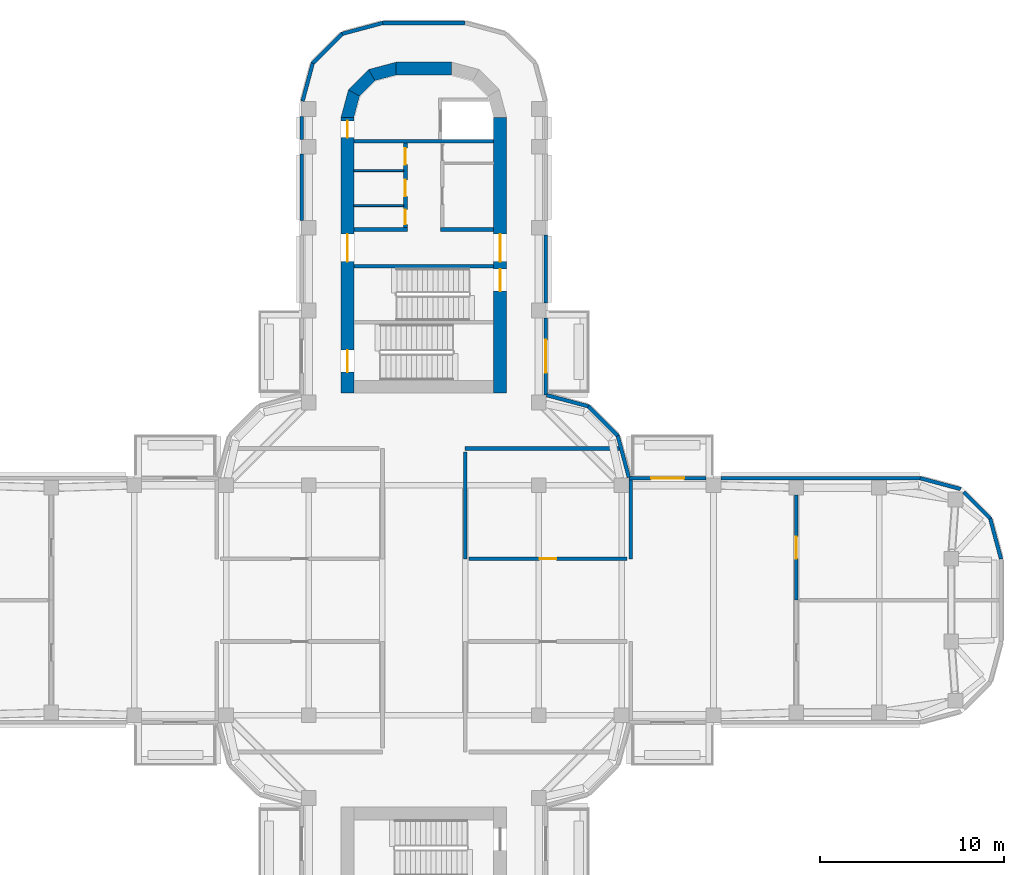
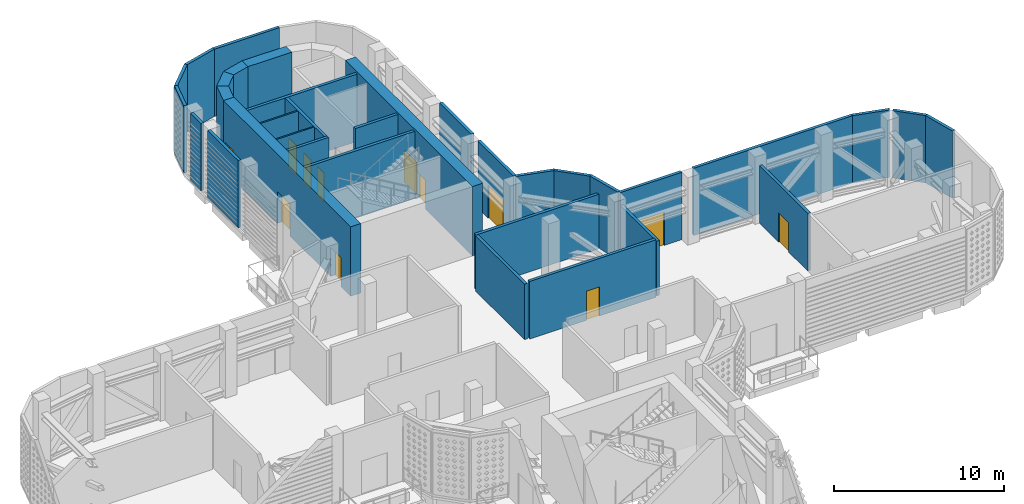
# One storey, part 7 of 21: 34 walls, 12 doors, 12 openings.
"""IFC4 building model written with IfcOpenShell, lengths in metres."""

from ifc_helpers import new_model, si_unit, direction, frame, frame_2d, origin, place, context, subcontext, project, spatial, polyline, rectangle, outline, extrude, material, layer, layer_set, type_object, element, fill, save


model = new_model("IFC4")

# Units and contexts
model_context = context("Model", 3, precision=1e-05, world=origin(), true_north=direction((0.0, 1.0)))
body_context = subcontext(model_context, "Body", "Model", "MODEL_VIEW")
ifc_project = project(units=[si_unit("LENGTHUNIT", "METRE"), si_unit("AREAUNIT", "SQUARE_METRE"), si_unit("VOLUMEUNIT", "CUBIC_METRE"), si_unit("PLANEANGLEUNIT", "RADIAN"), si_unit("MASSUNIT", "GRAM", prefix="KILO")], contexts=[model_context])

# Site, building, storey
site_placement = place(None, origin())
site = spatial("IfcSite", under=ifc_project, at=site_placement, CompositionType="ELEMENT")
building_placement = place(site_placement, origin())
building = spatial("IfcBuilding", under=site, at=building_placement, Name="Zarbagh Exchange Tower", CompositionType="ELEMENT")
storey_placement = place(building_placement, frame((0.0, 0.0, 190.39990234375)))
storey = spatial("IfcBuildingStorey", under=building, at=storey_placement, Name="L46", CompositionType="ELEMENT", Elevation=190.39990234375)

# Walls
ifc_material_1 = material(Name="Dense blockwork", Category="masonry")
ifc_layer_1 = layer(ifc_material_1, 0.10009765625)
ifc_layer_set_1 = layer_set([ifc_layer_1], Name="Core partition 100 mm blockwork")
wall_type_1 = type_object("IfcWallType", Name="Core partition 100 mm blockwork", PredefinedType="PARTITIONING", material=ifc_layer_set_1)
for number, where, z_axis, x_axis, name in (
    (1, (-3.800048828125, 23.35009765625, 0.0), (0.0, 0.0, 1.0), (1.0, 0.0, 0.0), "North core partition wall CUT-W-500"),
    (2, (-3.800048828125, 21.449951171875, 0.0), (0.0, 0.0, 1.0), (1.0, 0.0, 0.0), "North core partition wall CUT-W-690"),
):
    element("IfcWall", number, at=place(storey_placement, frame(where, z_axis=z_axis, x_axis=x_axis)), inside=storey, type_object=wall_type_1, Name=name, PredefinedType="PARTITIONING", context=body_context, shape_type="SweptSolid", body=[
        extrude(rectangle(XDim=2.699951171875, YDim=0.10009765625, at=frame_2d((1.35009765625, 0.0))), origin(), (0.0, 0.0, 1.0), 4.85009765625),
    ])

# Wall, opening, door
ifc_material_2 = material(Name="Concrete block partition", Category="concrete")
ifc_layer_2 = layer(ifc_material_2, 0.199951171875)
ifc_layer_set_2 = layer_set([ifc_layer_2], Name="Fire-rated block partition 200 EI 120")
wall_type_2 = type_object("IfcWallType", Name="Fire-rated block partition 200 EI 120", PredefinedType="PARTITIONING", material=ifc_layer_set_2)
wall_1_placement = place(storey_placement, frame((20.25, 0.0, 0.0), z_axis=(0.0, 0.0, 1.0), x_axis=(0.0, 1.0, 0.0)))
wall_1 = element("IfcWall", 3, at=wall_1_placement, inside=storey, type_object=wall_type_2, Name="WL-L46-W017", PredefinedType="PARTITIONING", context=body_context, shape_type="SweptSolid", body=[
    extrude(rectangle(XDim=5.7099609375, YDim=0.199951171875, at=frame_2d((2.85498046875, 0.0))), origin(), (0.0, 0.0, 1.0), 4.15185546875),
])
opening_1_placement = place(wall_1_placement, frame((2.2548828125, 0.0, 0.0)))
opening_1 = element("IfcOpeningElement", 4, at=opening_1_placement, cuts=wall_1, Name="Opening D05", PredefinedType="OPENING", context=body_context, shape_type="SweptSolid", body=[
    extrude(rectangle(XDim=1.199951171875, YDim=2.10009765625, at=frame_2d((0.60009765625, 1.050048828125))), frame((0.0, 0.10986328125, 0.0), z_axis=(0.0, -1.0, 0.0), x_axis=(1.0, 0.0, 0.0)), (0.0, 0.0, 1.0), 0.219970703125),
])
ifc_material_3 = material(Name="Steel door set", Category="steel")
door_type_1 = type_object("IfcDoorType", Name="Door single 1200x2100 EI 120", OperationType="SINGLE_SWING_LEFT", PredefinedType="DOOR", material=ifc_material_3)
door_1_placement = place(opening_1_placement, origin())
door_1 = element("IfcDoor", 5, at=door_1_placement, inside=storey, type_object=door_type_1, Name="D05", OperationType="SINGLE_SWING_LEFT", OverallHeight=2.10009765625, OverallWidth=1.199951171875, PredefinedType="DOOR", context=body_context, shape_type="SweptSolid", body=[
    extrude(rectangle(XDim=1.199951171875, YDim=2.10009765625, at=frame_2d((0.60009765625, 1.050048828125))), frame((0.0, 0.02490234375, 0.0), z_axis=(0.0, -1.0, 0.0), x_axis=(1.0, 0.0, 0.0)), (0.0, 0.0, 1.0), 0.050048828125),
])
fill(opening_1, door_1)

# Walls
ifc_layer_3 = layer(ifc_material_2, 0.199951171875)
ifc_layer_set_3 = layer_set([ifc_layer_3], Name="Fire-rated block partition 200 EI 60")
wall_type_3 = type_object("IfcWallType", Name="Fire-rated block partition 200 EI 60", PredefinedType="PARTITIONING", material=ifc_layer_set_3)
wall_2_placement = place(storey_placement, frame((10.84814453125, 8.25, 0.0), z_axis=(0.0, 0.0, 1.0), x_axis=(-1.0, 0.0, 0.0)))
element("IfcWall", 6, at=wall_2_placement, inside=storey, type_object=wall_type_3, Name="WL-L46-W001", PredefinedType="PARTITIONING", context=body_context, shape_type="SweptSolid", body=[
    extrude(rectangle(XDim=8.59814453125, YDim=0.199951171875, at=frame_2d((4.299072265625, 0.0))), origin(), (0.0, 0.0, 1.0), 3.93017578125),
])
wall_3_placement = place(storey_placement, frame((2.25, 8.050048828125, 0.0), z_axis=(0.0, 0.0, 1.0), x_axis=(0.0, -1.0, 0.0)))
element("IfcWall", 7, at=wall_3_placement, inside=storey, type_object=wall_type_3, Name="WL-L46-W002", PredefinedType="PARTITIONING", context=body_context, shape_type="SweptSolid", body=[
    extrude(rectangle(XDim=5.800048828125, YDim=0.199951171875, at=frame_2d((2.89990234375, 0.0))), origin(), (0.0, 0.0, 1.0), 3.994384765625),
])
wall_4_placement = place(storey_placement, frame((11.25, 6.75, 0.0), z_axis=(0.0, 0.0, 1.0), x_axis=(0.0, -1.0, 0.0)))
element("IfcWall", 8, at=wall_4_placement, inside=storey, type_object=wall_type_3, Name="WL-L46-W009", PredefinedType="PARTITIONING", context=body_context, shape_type="SweptSolid", body=[
    extrude(rectangle(XDim=4.5, YDim=0.199951171875, at=frame_2d((2.25, 0.0))), origin(), (0.0, 0.0, 1.0), 3.93017578125),
])

# Wall, opening, door
wall_5_placement = place(storey_placement, frame((2.449951171875, 2.25, 0.0), z_axis=(0.0, 0.0, 1.0), x_axis=(1.0, 0.0, 0.0)))
wall_5 = element("IfcWall", 9, at=wall_5_placement, inside=storey, type_object=wall_type_3, Name="WL-L46-W010", PredefinedType="PARTITIONING", context=body_context, shape_type="SweptSolid", body=[
    extrude(rectangle(XDim=8.60009765625, YDim=0.199951171875, at=frame_2d((4.300048828125, 0.0))), origin(), (0.0, 0.0, 1.0), 4.15185546875),
])
opening_2_placement = place(wall_5_placement, frame((3.85009765625, 0.0, 0.0)))
opening_2 = element("IfcOpeningElement", 10, at=opening_2_placement, cuts=wall_5, Name="Opening D01", PredefinedType="OPENING", context=body_context, shape_type="SweptSolid", body=[
    extrude(rectangle(XDim=0.89990234375, YDim=2.10009765625, at=frame_2d((0.449951171875, 1.050048828125))), frame((0.0, 0.10986328125, 0.0), z_axis=(0.0, -1.0, 0.0), x_axis=(1.0, 0.0, 0.0)), (0.0, 0.0, 1.0), 0.219970703125),
])
door_type_2 = type_object("IfcDoorType", Name="Door single 900x2100 EI 60", OperationType="SINGLE_SWING_LEFT", PredefinedType="DOOR", material=ifc_material_3)
door_2_placement = place(opening_2_placement, origin())
door_2 = element("IfcDoor", 11, at=door_2_placement, inside=storey, type_object=door_type_2, Name="D01", OperationType="SINGLE_SWING_LEFT", OverallHeight=2.10009765625, OverallWidth=0.89990234375, PredefinedType="DOOR", context=body_context, shape_type="SweptSolid", body=[
    extrude(rectangle(XDim=0.89990234375, YDim=2.10009765625, at=frame_2d((0.449951171875, 1.050048828125))), frame((0.0, 0.02490234375, 0.0), z_axis=(0.0, -1.0, 0.0), x_axis=(1.0, 0.0, 0.0)), (0.0, 0.0, 1.0), 0.050048828125),
])
fill(opening_2, door_2)

# Walls
ifc_material_4 = material(Name="Precast concrete C50/60", Category="concrete")
ifc_layer_4 = layer(ifc_material_4, 0.199951171875)
ifc_layer_set_4 = layer_set([ifc_layer_4], Name="Plant wall, precast concrete C50/60")
wall_type_4 = type_object("IfcWallType", Name="Plant wall, precast concrete C50/60", PredefinedType="SOLIDWALL", material=ifc_layer_set_4)
wall_6_placement = place(storey_placement, origin())
element("IfcWall", 12, at=wall_6_placement, inside=storey, type_object=wall_type_4, Name="PW54 plant wall", PredefinedType="SOLIDWALL", context=body_context, shape_type="SweptSolid", body=[
    extrude(outline(polyline([(31.47998046875, 2.247314453125), (30.879150390625, 4.48974609375), (30.699951171875, 4.38623046875), (31.280029296875, 2.220947265625), (31.47998046875, 2.247314453125)])), origin(), (0.0, 0.0, 1.0), 4.85009765625),
])
wall_7_placement = place(storey_placement, origin())
element("IfcWall", 13, at=wall_7_placement, inside=storey, type_object=wall_type_4, Name="PW55 plant wall", PredefinedType="SOLIDWALL", context=body_context, shape_type="SweptSolid", body=[
    extrude(outline(polyline([(30.879150390625, 4.48974609375), (29.418701171875, 5.9501953125), (29.27734375, 5.80859375), (30.699951171875, 4.38623046875), (30.879150390625, 4.48974609375)])), origin(), (0.0, 0.0, 1.0), 4.85009765625),
])
wall_8_placement = place(storey_placement, origin())
element("IfcWall", 14, at=wall_8_placement, inside=storey, type_object=wall_type_4, Name="PW56 plant wall", PredefinedType="SOLIDWALL", context=body_context, shape_type="SweptSolid", body=[
    extrude(outline(polyline([(29.23974609375, 6.129150390625), (26.997314453125, 6.72998046875), (26.970947265625, 6.530029296875), (29.13623046875, 5.949951171875), (29.23974609375, 6.129150390625)])), origin(), (0.0, 0.0, 1.0), 4.85009765625),
])
wall_9_placement = place(storey_placement, origin())
element("IfcWall", 15, at=wall_9_placement, inside=storey, type_object=wall_type_4, Name="PW57 plant wall", PredefinedType="SOLIDWALL", context=body_context, shape_type="SweptSolid", body=[
    extrude(outline(polyline([(26.997314453125, 6.72998046875), (16.14990234375, 6.72998046875), (16.14990234375, 6.530029296875), (26.970947265625, 6.530029296875), (26.997314453125, 6.72998046875)])), origin(), (0.0, 0.0, 1.0), 4.85009765625),
])
wall_10_placement = place(storey_placement, origin())
element("IfcWall", 16, at=wall_10_placement, inside=storey, type_object=wall_type_4, Name="PW17 plant wall", PredefinedType="SOLIDWALL", context=body_context, shape_type="SweptSolid", body=[
    extrude(outline(polyline([(11.241943359375, 6.702392578125), (10.629150390625, 8.98974609375), (10.449951171875, 8.88623046875), (11.048828125, 6.650634765625), (11.241943359375, 6.702392578125)])), origin(), (0.0, 0.0, 1.0), 4.85009765625),
])
wall_11_placement = place(storey_placement, origin())
element("IfcWall", 17, at=wall_11_placement, inside=storey, type_object=wall_type_4, Name="PW18 plant wall", PredefinedType="SOLIDWALL", context=body_context, shape_type="SweptSolid", body=[
    extrude(outline(polyline([(10.629150390625, 8.98974609375), (8.98974609375, 10.629150390625), (8.88623046875, 10.449951171875), (10.449951171875, 8.88623046875), (10.629150390625, 8.98974609375)])), origin(), (0.0, 0.0, 1.0), 4.85009765625),
])
wall_12_placement = place(storey_placement, origin())
element("IfcWall", 18, at=wall_12_placement, inside=storey, type_object=wall_type_4, Name="PW19 plant wall", PredefinedType="SOLIDWALL", context=body_context, shape_type="SweptSolid", body=[
    extrude(outline(polyline([(8.98974609375, 10.629150390625), (6.702392578125, 11.241943359375), (6.650634765625, 11.048828125), (8.88623046875, 10.449951171875), (8.98974609375, 10.629150390625)])), origin(), (0.0, 0.0, 1.0), 4.85009765625),
])
wall_13_placement = place(storey_placement, origin())
element("IfcWall", 19, at=wall_13_placement, inside=storey, type_object=wall_type_4, Name="PW58 plant wall", PredefinedType="SOLIDWALL", context=body_context, shape_type="SweptSolid", body=[
    extrude(outline(polyline([(6.72998046875, 16.14990234375), (6.72998046875, 19.85009765625), (6.530029296875, 19.85009765625), (6.530029296875, 16.14990234375), (6.72998046875, 16.14990234375)])), origin(), (0.0, 0.0, 1.0), 4.85009765625),
])
wall_14_placement = place(storey_placement, origin())
element("IfcWall", 20, at=wall_14_placement, inside=storey, type_object=wall_type_4, Name="PW62 plant wall", PredefinedType="SOLIDWALL", context=body_context, shape_type="SweptSolid", body=[
    extrude(outline(polyline([(2.247314453125, 31.47998046875), (-2.247314453125, 31.47998046875), (-2.220947265625, 31.280029296875), (2.220947265625, 31.280029296875), (2.247314453125, 31.47998046875)])), origin(), (0.0, 0.0, 1.0), 4.85009765625),
])
wall_15_placement = place(storey_placement, origin())
element("IfcWall", 21, at=wall_15_placement, inside=storey, type_object=wall_type_4, Name="PW63 plant wall", PredefinedType="SOLIDWALL", context=body_context, shape_type="SweptSolid", body=[
    extrude(outline(polyline([(-2.247314453125, 31.47998046875), (-4.48974609375, 30.879150390625), (-4.38623046875, 30.699951171875), (-2.220947265625, 31.280029296875), (-2.247314453125, 31.47998046875)])), origin(), (0.0, 0.0, 1.0), 4.85009765625),
])
wall_16_placement = place(storey_placement, origin())
element("IfcWall", 22, at=wall_16_placement, inside=storey, type_object=wall_type_4, Name="PW64 plant wall", PredefinedType="SOLIDWALL", context=body_context, shape_type="SweptSolid", body=[
    extrude(outline(polyline([(-4.48974609375, 30.879150390625), (-6.129150390625, 29.23974609375), (-5.949951171875, 29.13623046875), (-4.38623046875, 30.699951171875), (-4.48974609375, 30.879150390625)])), origin(), (0.0, 0.0, 1.0), 4.85009765625),
])
wall_17_placement = place(storey_placement, origin())
element("IfcWall", 23, at=wall_17_placement, inside=storey, type_object=wall_type_4, Name="PW65 plant wall", PredefinedType="SOLIDWALL", context=body_context, shape_type="SweptSolid", body=[
    extrude(outline(polyline([(-6.129150390625, 29.23974609375), (-6.6884765625, 27.15234375), (-6.495361328125, 27.1005859375), (-5.949951171875, 29.13623046875), (-6.129150390625, 29.23974609375)])), origin(), (0.0, 0.0, 1.0), 4.85009765625),
])
wall_18_placement = place(storey_placement, origin())
element("IfcWall", 24, at=wall_18_placement, inside=storey, type_object=wall_type_4, Name="PW66 plant wall", PredefinedType="SOLIDWALL", context=body_context, shape_type="SweptSolid", body=[
    extrude(outline(polyline([(-6.72998046875, 26.300048828125), (-6.72998046875, 25.050048828125), (-6.530029296875, 25.050048828125), (-6.530029296875, 26.300048828125), (-6.72998046875, 26.300048828125)])), origin(), (0.0, 0.0, 1.0), 4.85009765625),
])
wall_19_placement = place(storey_placement, origin())
element("IfcWall", 25, at=wall_19_placement, inside=storey, type_object=wall_type_4, Name="PW66 plant wall", PredefinedType="SOLIDWALL", context=body_context, shape_type="SweptSolid", body=[
    extrude(outline(polyline([(-6.72998046875, 24.25), (-6.72998046875, 20.64990234375), (-6.530029296875, 20.64990234375), (-6.530029296875, 24.25), (-6.72998046875, 24.25)])), origin(), (0.0, 0.0, 1.0), 4.85009765625),
])
ifc_material_5 = material(Name="Concrete C50/60", Category="concrete")
ifc_layer_5 = layer(ifc_material_5, 0.699951171875)
ifc_layer_set_5 = layer_set([ifc_layer_5], Name="RC core corner wall 700 C50/60")
wall_type_5 = type_object("IfcWallType", Name="RC core corner wall 700 C50/60", PredefinedType="SHEAR", material=ifc_layer_set_5)
wall_20_placement = place(storey_placement, origin())
element("IfcWall", 26, at=wall_20_placement, inside=storey, type_object=wall_type_5, Name="CW6 core N corner W", PredefinedType="SHEAR", context=body_context, shape_type="SweptSolid", body=[
    extrude(outline(polyline([(-4.5, 26.25), (-4.09814453125, 27.75), (-3.491943359375, 27.39990234375), (-3.800048828125, 26.25), (-4.5, 26.25)])), origin(), (0.0, 0.0, 1.0), 5.0),
])
wall_21_placement = place(storey_placement, origin())
element("IfcWall", 27, at=wall_21_placement, inside=storey, type_object=wall_type_5, Name="CW6 core N corner W", PredefinedType="SHEAR", context=body_context, shape_type="SweptSolid", body=[
    extrude(outline(polyline([(-4.09814453125, 27.75), (-3.0, 28.84814453125), (-2.64990234375, 28.241943359375), (-3.491943359375, 27.39990234375), (-4.09814453125, 27.75)])), origin(), (0.0, 0.0, 1.0), 5.0),
])
wall_22_placement = place(storey_placement, origin())
element("IfcWall", 28, at=wall_22_placement, inside=storey, type_object=wall_type_5, Name="CW6 core N corner W", PredefinedType="SHEAR", context=body_context, shape_type="SweptSolid", body=[
    extrude(outline(polyline([(-3.0, 28.84814453125), (-1.5, 29.25), (-1.5, 28.550048828125), (-2.64990234375, 28.241943359375), (-3.0, 28.84814453125)])), origin(), (0.0, 0.0, 1.0), 5.0),
])

# Wall, openings, doors
ifc_layer_6 = layer(ifc_material_5, 0.699951171875)
ifc_layer_set_6 = layer_set([ifc_layer_6], Name="RC core wall 700 C50/60")
wall_type_6 = type_object("IfcWallType", Name="RC core wall 700 C50/60", PredefinedType="SHEAR", material=ifc_layer_set_6)
wall_23_placement = place(storey_placement, frame((-4.14990234375, 11.25, 0.0), z_axis=(0.0, 0.0, 1.0), x_axis=(0.0, 1.0, 0.0)))
wall_23 = element("IfcWall", 29, at=wall_23_placement, inside=storey, type_object=wall_type_6, Name="CW5 core N W", PredefinedType="SHEAR", context=body_context, shape_type="SweptSolid", body=[
    extrude(rectangle(XDim=15.0, YDim=0.699951171875, at=frame_2d((7.5, 0.0))), origin(), (0.0, 0.0, 1.0), 5.0),
])
opening_3_placement = place(wall_23_placement, frame((7.14990234375, 0.0, 0.0)))
opening_3 = element("IfcOpeningElement", 30, at=opening_3_placement, cuts=wall_23, Name="Opening CD1-1500", PredefinedType="OPENING", context=body_context, shape_type="SweptSolid", body=[
    extrude(rectangle(XDim=1.5, YDim=2.300048828125, at=frame_2d((0.75, 1.14990234375))), frame((0.0, 0.35986328125, 0.0), z_axis=(0.0, -1.0, 0.0), x_axis=(1.0, 0.0, 0.0)), (0.0, 0.0, 1.0), 0.719970703125),
])
opening_4_placement = place(wall_23_placement, frame((13.89990234375, 0.0, 0.0)))
opening_4 = element("IfcOpeningElement", 31, at=opening_4_placement, cuts=wall_23, Name="Opening CD2-900", PredefinedType="OPENING", context=body_context, shape_type="SweptSolid", body=[
    extrude(rectangle(XDim=0.89990234375, YDim=2.10009765625, at=frame_2d((0.449951171875, 1.050048828125))), frame((0.0, 0.35986328125, 0.0), z_axis=(0.0, -1.0, 0.0), x_axis=(1.0, 0.0, 0.0)), (0.0, 0.0, 1.0), 0.719970703125),
])
opening_5_placement = place(wall_23_placement, frame((1.14990234375, 0.0, 0.0)))
opening_5 = element("IfcOpeningElement", 32, at=opening_5_placement, cuts=wall_23, Name="Opening SD1-1200", PredefinedType="OPENING", context=body_context, shape_type="SweptSolid", body=[
    extrude(rectangle(XDim=1.199951171875, YDim=2.10009765625, at=frame_2d((0.60009765625, 1.050048828125))), frame((0.0, 0.35986328125, 0.0), z_axis=(0.0, -1.0, 0.0), x_axis=(1.0, 0.0, 0.0)), (0.0, 0.0, 1.0), 0.719970703125),
])
ifc_material_6 = material(Name="Steel", Category="steel")
door_type_3 = type_object("IfcDoorType", Name="Exit stair door 1200 x 2100", OperationType="NOTDEFINED", PredefinedType="DOOR", material=ifc_material_6)
door_3_placement = place(opening_5_placement, origin())
door_3 = element("IfcDoor", 33, at=door_3_placement, inside=storey, type_object=door_type_3, Name="North core stair door ST2", OperationType="SINGLE_SWING_RIGHT", OverallHeight=2.10009765625, OverallWidth=1.199951171875, PredefinedType="DOOR", context=body_context, shape_type="SweptSolid", body=[
    extrude(rectangle(XDim=1.199951171875, YDim=2.10009765625, at=frame_2d((0.60009765625, 1.050048828125))), frame((0.0, 0.02490234375, 0.0), z_axis=(0.0, -1.0, 0.0), x_axis=(1.0, 0.0, 0.0)), (0.0, 0.0, 1.0), 0.050048828125),
])
fill(opening_5, door_3)
door_type_4 = type_object("IfcDoorType", Name="Firefighting lobby door 900 x 2100", OperationType="NOTDEFINED", PredefinedType="DOOR", material=ifc_material_6)
door_4_placement = place(opening_4_placement, origin())
door_4 = element("IfcDoor", 34, at=door_4_placement, inside=storey, type_object=door_type_4, Name="North core firefighting lobby door FF-W", OperationType="SINGLE_SWING_LEFT", OverallHeight=2.10009765625, OverallWidth=0.89990234375, PredefinedType="DOOR", context=body_context, shape_type="SweptSolid", body=[
    extrude(rectangle(XDim=0.89990234375, YDim=2.10009765625, at=frame_2d((0.449951171875, 1.050048828125))), frame((0.0, 0.02490234375, 0.0), z_axis=(0.0, -1.0, 0.0), x_axis=(1.0, 0.0, 0.0)), (0.0, 0.0, 1.0), 0.050048828125),
])
fill(opening_4, door_4)
door_type_5 = type_object("IfcDoorType", Name="Lift lobby double door 1500 x 2300", OperationType="NOTDEFINED", PredefinedType="DOOR", material=ifc_material_6)
door_5_placement = place(opening_3_placement, origin())
door_5 = element("IfcDoor", 35, at=door_5_placement, inside=storey, type_object=door_type_5, Name="North core lift lobby door LOBBY-W", OperationType="DOUBLE_DOOR_SINGLE_SWING", OverallHeight=2.300048828125, OverallWidth=1.5, PredefinedType="DOOR", context=body_context, shape_type="SweptSolid", body=[
    extrude(rectangle(XDim=1.5, YDim=2.300048828125, at=frame_2d((0.75, 1.14990234375))), frame((0.0, 0.02490234375, 0.0), z_axis=(0.0, -1.0, 0.0), x_axis=(1.0, 0.0, 0.0)), (0.0, 0.0, 1.0), 0.050048828125),
])
fill(opening_3, door_5)

wall_24_placement = place(storey_placement, frame((4.14990234375, 11.25, 0.0), z_axis=(0.0, 0.0, 1.0), x_axis=(0.0, 1.0, 0.0)))
wall_24 = element("IfcWall", 36, at=wall_24_placement, inside=storey, type_object=wall_type_6, Name="CW5 core N E", PredefinedType="SHEAR", context=body_context, shape_type="SweptSolid", body=[
    extrude(rectangle(XDim=15.0, YDim=0.699951171875, at=frame_2d((7.5, 0.0))), origin(), (0.0, 0.0, 1.0), 5.0),
])
opening_6_placement = place(wall_24_placement, frame((7.14990234375, 0.0, 0.0)))
opening_6 = element("IfcOpeningElement", 37, at=opening_6_placement, cuts=wall_24, Name="Opening CD1-1500", PredefinedType="OPENING", context=body_context, shape_type="SweptSolid", body=[
    extrude(rectangle(XDim=1.5, YDim=2.300048828125, at=frame_2d((0.75, 1.14990234375))), frame((0.0, 0.35986328125, 0.0), z_axis=(0.0, -1.0, 0.0), x_axis=(1.0, 0.0, 0.0)), (0.0, 0.0, 1.0), 0.719970703125),
])
opening_7_placement = place(wall_24_placement, frame((5.550048828125, 0.0, 0.0)))
opening_7 = element("IfcOpeningElement", 38, at=opening_7_placement, cuts=wall_24, Name="Opening SD1-1200", PredefinedType="OPENING", context=body_context, shape_type="SweptSolid", body=[
    extrude(rectangle(XDim=1.199951171875, YDim=2.10009765625, at=frame_2d((0.60009765625, 1.050048828125))), frame((0.0, 0.35986328125, 0.0), z_axis=(0.0, -1.0, 0.0), x_axis=(1.0, 0.0, 0.0)), (0.0, 0.0, 1.0), 0.719970703125),
])
door_6_placement = place(opening_7_placement, origin())
door_6 = element("IfcDoor", 39, at=door_6_placement, inside=storey, type_object=door_type_3, Name="North core stair door ST1", OperationType="SINGLE_SWING_RIGHT", OverallHeight=2.10009765625, OverallWidth=1.199951171875, PredefinedType="DOOR", context=body_context, shape_type="SweptSolid", body=[
    extrude(rectangle(XDim=1.199951171875, YDim=2.10009765625, at=frame_2d((0.60009765625, 1.050048828125))), frame((0.0, 0.02490234375, 0.0), z_axis=(0.0, -1.0, 0.0), x_axis=(1.0, 0.0, 0.0)), (0.0, 0.0, 1.0), 0.050048828125),
])
fill(opening_7, door_6)
door_7_placement = place(opening_6_placement, origin())
door_7 = element("IfcDoor", 40, at=door_7_placement, inside=storey, type_object=door_type_5, Name="North core lift lobby door LOBBY-E", OperationType="DOUBLE_DOOR_SINGLE_SWING", OverallHeight=2.300048828125, OverallWidth=1.5, PredefinedType="DOOR", context=body_context, shape_type="SweptSolid", body=[
    extrude(rectangle(XDim=1.5, YDim=2.300048828125, at=frame_2d((0.75, 1.14990234375))), frame((0.0, 0.02490234375, 0.0), z_axis=(0.0, -1.0, 0.0), x_axis=(1.0, 0.0, 0.0)), (0.0, 0.0, 1.0), 0.050048828125),
])
fill(opening_6, door_7)

# Walls
wall_25_placement = place(storey_placement, frame((-1.5, 28.89990234375, 0.0), z_axis=(0.0, 0.0, 1.0), x_axis=(1.0, 0.0, 0.0)))
element("IfcWall", 41, at=wall_25_placement, inside=storey, type_object=wall_type_6, Name="CW5 core N outer end", PredefinedType="SHEAR", context=body_context, shape_type="SweptSolid", body=[
    extrude(rectangle(XDim=3.0, YDim=0.699951171875, at=frame_2d((1.5, 0.0))), origin(), (0.0, 0.0, 1.0), 5.0),
])
ifc_layer_7 = layer(ifc_material_1, 0.199951171875)
ifc_layer_set_7 = layer_set([ifc_layer_7], Name="Shaft wall 200 mm blockwork")
wall_type_7 = type_object("IfcWallType", Name="Shaft wall 200 mm blockwork", PredefinedType="PARTITIONING", material=ifc_layer_set_7)
wall_26_placement = place(storey_placement, frame((-3.800048828125, 20.14990234375, 0.0), z_axis=(0.0, 0.0, 1.0), x_axis=(1.0, 0.0, 0.0)))
element("IfcWall", 42, at=wall_26_placement, inside=storey, type_object=wall_type_7, Name="North core shaft wall AB-W", PredefinedType="PARTITIONING", context=body_context, shape_type="SweptSolid", body=[
    extrude(rectangle(XDim=2.900146484375, YDim=0.199951171875, at=frame_2d((1.4501953125, 0.0))), origin(), (0.0, 0.0, 1.0), 4.85009765625),
])

# Wall, openings, doors
wall_27_placement = place(storey_placement, frame((-1.0, 24.85009765625, 0.0), z_axis=(0.0, 0.0, 1.0), x_axis=(0.0, -1.0, 0.0)))
wall_27 = element("IfcWall", 43, at=wall_27_placement, inside=storey, type_object=wall_type_7, Name="North core shaft wall LW-W", PredefinedType="PARTITIONING", context=body_context, shape_type="SweptSolid", body=[
    extrude(rectangle(XDim=4.60009765625, YDim=0.199951171875, at=frame_2d((2.300048828125, 0.0))), origin(), (0.0, 0.0, 1.0), 4.85009765625),
])
opening_8_placement = place(wall_27_placement, frame((0.27490234375, 0.0, 0.0)))
opening_8 = element("IfcOpeningElement", 44, at=opening_8_placement, cuts=wall_27, Name="Opening CD3-900", PredefinedType="OPENING", context=body_context, shape_type="SweptSolid", body=[
    extrude(rectangle(XDim=0.89990234375, YDim=2.10009765625, at=frame_2d((0.449951171875, 1.050048828125))), frame((0.0, 0.10986328125, 0.0), z_axis=(0.0, -1.0, 0.0), x_axis=(1.0, 0.0, 0.0)), (0.0, 0.0, 1.0), 0.219970703125),
])
opening_9_placement = place(wall_27_placement, frame((2.0, 0.0, 0.0)))
opening_9 = element("IfcOpeningElement", 45, at=opening_9_placement, cuts=wall_27, Name="Opening CD3-900", PredefinedType="OPENING", context=body_context, shape_type="SweptSolid", body=[
    extrude(rectangle(XDim=0.89990234375, YDim=2.10009765625, at=frame_2d((0.449951171875, 1.050048828125))), frame((0.0, 0.10986328125, 0.0), z_axis=(0.0, -1.0, 0.0), x_axis=(1.0, 0.0, 0.0)), (0.0, 0.0, 1.0), 0.219970703125),
])
opening_10_placement = place(wall_27_placement, frame((3.625, 0.0, 0.0)))
opening_10 = element("IfcOpeningElement", 46, at=opening_10_placement, cuts=wall_27, Name="Opening CD3-800", PredefinedType="OPENING", context=body_context, shape_type="SweptSolid", body=[
    extrude(rectangle(XDim=0.800048828125, YDim=2.10009765625, at=frame_2d((0.39990234375, 1.050048828125))), frame((0.0, 0.10986328125, 0.0), z_axis=(0.0, -1.0, 0.0), x_axis=(1.0, 0.0, 0.0)), (0.0, 0.0, 1.0), 0.219970703125),
])
door_type_6 = type_object("IfcDoorType", Name="Core room door 800 x 2100", OperationType="NOTDEFINED", PredefinedType="DOOR", material=ifc_material_6)
door_8_placement = place(opening_10_placement, origin())
door_8 = element("IfcDoor", 47, at=door_8_placement, inside=storey, type_object=door_type_6, Name="North core Control room door RD-W-2", OperationType="SINGLE_SWING_LEFT", OverallHeight=2.10009765625, OverallWidth=0.800048828125, PredefinedType="DOOR", context=body_context, shape_type="SweptSolid", body=[
    extrude(rectangle(XDim=0.800048828125, YDim=2.10009765625, at=frame_2d((0.39990234375, 1.050048828125))), frame((0.0, 0.02490234375, 0.0), z_axis=(0.0, -1.0, 0.0), x_axis=(1.0, 0.0, 0.0)), (0.0, 0.0, 1.0), 0.050048828125),
])
fill(opening_10, door_8)
door_type_7 = type_object("IfcDoorType", Name="Core room door 900 x 2100", OperationType="NOTDEFINED", PredefinedType="DOOR", material=ifc_material_6)
door_9_placement = place(opening_8_placement, origin())
door_9 = element("IfcDoor", 48, at=door_9_placement, inside=storey, type_object=door_type_7, Name="North core Mechanical store door RD-W-0", OperationType="SINGLE_SWING_LEFT", OverallHeight=2.10009765625, OverallWidth=0.89990234375, PredefinedType="DOOR", context=body_context, shape_type="SweptSolid", body=[
    extrude(rectangle(XDim=0.89990234375, YDim=2.10009765625, at=frame_2d((0.449951171875, 1.050048828125))), frame((0.0, 0.02490234375, 0.0), z_axis=(0.0, -1.0, 0.0), x_axis=(1.0, 0.0, 0.0)), (0.0, 0.0, 1.0), 0.050048828125),
])
fill(opening_8, door_9)
door_10_placement = place(opening_9_placement, origin())
door_10 = element("IfcDoor", 49, at=door_10_placement, inside=storey, type_object=door_type_7, Name="North core Plant room door RD-W-1", OperationType="SINGLE_SWING_LEFT", OverallHeight=2.10009765625, OverallWidth=0.89990234375, PredefinedType="DOOR", context=body_context, shape_type="SweptSolid", body=[
    extrude(rectangle(XDim=0.89990234375, YDim=2.10009765625, at=frame_2d((0.449951171875, 1.050048828125))), frame((0.0, 0.02490234375, 0.0), z_axis=(0.0, -1.0, 0.0), x_axis=(1.0, 0.0, 0.0)), (0.0, 0.0, 1.0), 0.050048828125),
])
fill(opening_9, door_10)

# Walls
wall_28_placement = place(storey_placement, frame((0.89990234375, 20.14990234375, 0.0), z_axis=(0.0, 0.0, 1.0), x_axis=(1.0, 0.0, 0.0)))
element("IfcWall", 50, at=wall_28_placement, inside=storey, type_object=wall_type_7, Name="North core shaft wall AB-E", PredefinedType="PARTITIONING", context=body_context, shape_type="SweptSolid", body=[
    extrude(rectangle(XDim=2.900146484375, YDim=0.199951171875, at=frame_2d((1.4501953125, 0.0))), origin(), (0.0, 0.0, 1.0), 4.85009765625),
])
ifc_material_7 = material(Name="Concrete C40/50", Category="concrete")
ifc_layer_8 = layer(ifc_material_7, 0.199951171875)
ifc_layer_set_8 = layer_set([ifc_layer_8], Name="Stair enclosure wall 200 mm RC C40/50")
wall_type_8 = type_object("IfcWallType", Name="Stair enclosure wall 200 mm RC C40/50", PredefinedType="SHEAR", material=ifc_layer_set_8)
for number, where, z_axis, x_axis, name in (
    (51, (-3.800048828125, 24.949951171875, 0.0), (0.0, 0.0, 1.0), (1.0, 0.0, 0.0), "North core lift shaft wall FFA"),
    (52, (-3.800048828125, 18.14990234375, 0.0), (0.0, 0.0, 1.0), (1.0, 0.0, 0.0), "North core stair wall BS"),
):
    element("IfcWall", number, at=place(storey_placement, frame(where, z_axis=z_axis, x_axis=x_axis)), inside=storey, type_object=wall_type_8, Name=name, PredefinedType="SHEAR", context=body_context, shape_type="SweptSolid", body=[
        extrude(rectangle(XDim=7.60009765625, YDim=0.199951171875, at=frame_2d((3.800048828125, 0.0))), origin(), (0.0, 0.0, 1.0), 4.85009765625),
    ])

# Wall, opening, door
ifc_layer_9 = layer(ifc_material_4, 0.199951171875)
ifc_layer_set_9 = layer_set([ifc_layer_9], Name="Terrace door wall, precast concrete C50/60")
wall_type_9 = type_object("IfcWallType", Name="Terrace door wall, precast concrete C50/60", PredefinedType="SOLIDWALL", material=ifc_layer_set_9)
wall_29_placement = place(storey_placement, frame((15.35009765625, 6.6298828125, 0.0), z_axis=(0.0, 0.0, 1.0), x_axis=(-1.0, 0.0, 0.0)))
wall_29 = element("IfcWall", 53, at=wall_29_placement, inside=storey, type_object=wall_type_9, Name="TW45 door wall", PredefinedType="SOLIDWALL", context=body_context, shape_type="SweptSolid", body=[
    extrude(rectangle(XDim=4.2001953125, YDim=0.199951171875, at=frame_2d((2.10009765625, 0.0))), origin(), (0.0, 0.0, 1.0), 4.85009765625),
])
opening_11_placement = place(wall_29_placement, frame((1.199951171875, 0.0, 0.0)))
opening_11 = element("IfcOpeningElement", 54, at=opening_11_placement, cuts=wall_29, Name="Opening TD02", PredefinedType="OPENING", context=body_context, shape_type="SweptSolid", body=[
    extrude(rectangle(XDim=1.800048828125, YDim=2.39990234375, at=frame_2d((0.89990234375, 1.199951171875))), frame((0.0, 0.10986328125, 0.0), z_axis=(0.0, -1.0, 0.0), x_axis=(1.0, 0.0, 0.0)), (0.0, 0.0, 1.0), 0.219970703125),
])
ifc_material_8 = material(Name="Anodised aluminium and glass", Category="aluminium")
door_type_8 = type_object("IfcDoorType", Name="Terrace door, double leaf, aluminium and glass", OperationType="DOUBLE_DOOR_DOUBLE_SWING", PredefinedType="DOOR", material=ifc_material_8)
door_11_placement = place(opening_11_placement, origin())
door_11 = element("IfcDoor", 55, at=door_11_placement, inside=storey, type_object=door_type_8, Name="TD02 terrace door", OperationType="SINGLE_SWING_LEFT", OverallHeight=2.39990234375, OverallWidth=1.800048828125, PredefinedType="DOOR", context=body_context, shape_type="SweptSolid", body=[
    extrude(rectangle(XDim=1.800048828125, YDim=2.39990234375, at=frame_2d((0.89990234375, 1.199951171875))), frame((0.0, 0.02490234375, 0.0), z_axis=(0.0, -1.0, 0.0), x_axis=(1.0, 0.0, 0.0)), (0.0, 0.0, 1.0), 0.050048828125),
])
fill(opening_11, door_11)

wall_30_placement = place(storey_placement, frame((6.6298828125, 11.14990234375, 0.0), z_axis=(0.0, 0.0, 1.0), x_axis=(0.0, 1.0, 0.0)))
wall_30 = element("IfcWall", 56, at=wall_30_placement, inside=storey, type_object=wall_type_9, Name="TW46 door wall", PredefinedType="SOLIDWALL", context=body_context, shape_type="SweptSolid", body=[
    extrude(rectangle(XDim=4.2001953125, YDim=0.199951171875, at=frame_2d((2.10009765625, 0.0))), origin(), (0.0, 0.0, 1.0), 4.85009765625),
])
opening_12_placement = place(wall_30_placement, frame((1.199951171875, 0.0, 0.0)))
opening_12 = element("IfcOpeningElement", 57, at=opening_12_placement, cuts=wall_30, Name="Opening TD02", PredefinedType="OPENING", context=body_context, shape_type="SweptSolid", body=[
    extrude(rectangle(XDim=1.800048828125, YDim=2.39990234375, at=frame_2d((0.89990234375, 1.199951171875))), frame((0.0, 0.10986328125, 0.0), z_axis=(0.0, -1.0, 0.0), x_axis=(1.0, 0.0, 0.0)), (0.0, 0.0, 1.0), 0.219970703125),
])
door_12_placement = place(opening_12_placement, origin())
door_12 = element("IfcDoor", 58, at=door_12_placement, inside=storey, type_object=door_type_8, Name="TD02 terrace door", OperationType="SINGLE_SWING_LEFT", OverallHeight=2.39990234375, OverallWidth=1.800048828125, PredefinedType="DOOR", context=body_context, shape_type="SweptSolid", body=[
    extrude(rectangle(XDim=1.800048828125, YDim=2.39990234375, at=frame_2d((0.89990234375, 1.199951171875))), frame((0.0, 0.02490234375, 0.0), z_axis=(0.0, -1.0, 0.0), x_axis=(1.0, 0.0, 0.0)), (0.0, 0.0, 1.0), 0.050048828125),
])
fill(opening_12, door_12)

save(model, "model.ifc")
